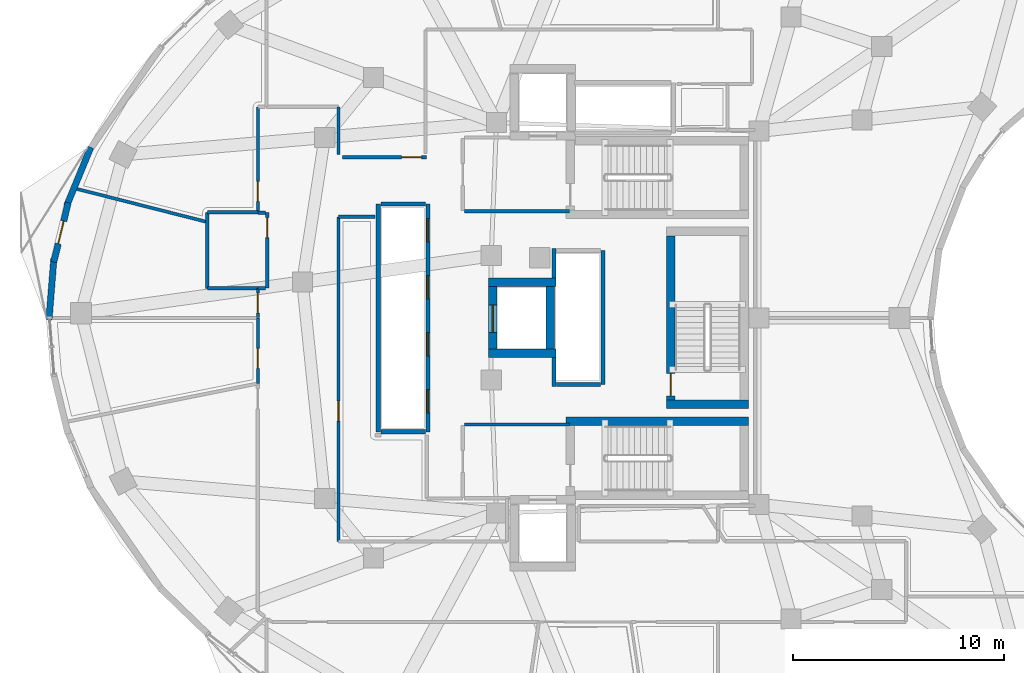
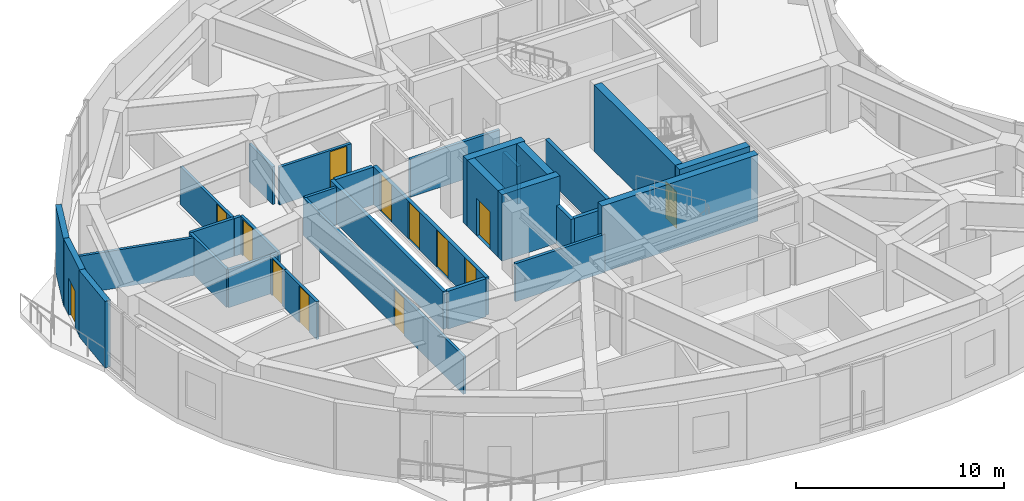
# One storey, part 9 of 14: 34 walls, 13 doors, 13 openings.
"""IFC4 building model written with IfcOpenShell, lengths in metres."""

from ifc_helpers import new_model, si_unit, direction, frame, frame_2d, origin, place, context, subcontext, project, spatial, rectangle, extrude, material, layer, layer_set, type_object, element, fill, save


model = new_model("IFC4")

# Units and contexts
model_context = context("Model", 3, precision=1e-05, world=origin(), true_north=direction((0.0, 1.0)))
body_context = subcontext(model_context, "Body", "Model", "MODEL_VIEW")
ifc_project = project(units=[si_unit("LENGTHUNIT", "METRE"), si_unit("AREAUNIT", "SQUARE_METRE"), si_unit("VOLUMEUNIT", "CUBIC_METRE"), si_unit("PLANEANGLEUNIT", "RADIAN"), si_unit("MASSUNIT", "GRAM", prefix="KILO")], contexts=[model_context])

# Site, building, storey
site_placement = place(None, origin())
site = spatial("IfcSite", under=ifc_project, at=site_placement, CompositionType="ELEMENT")
building_placement = place(site_placement, origin())
building = spatial("IfcBuilding", under=site, at=building_placement, Name="Korentha Bioscience Tower", CompositionType="ELEMENT")
storey_placement = place(building_placement, frame((0.0, 0.0, 239.39990234375)))
storey = spatial("IfcBuildingStorey", under=building, at=storey_placement, Name="L55", CompositionType="ELEMENT", Elevation=239.39990234375)

# Wall, opening, door
ifc_material_1 = material(Name="Double-Stud Acoustic Gypsum", Category="gypsum")
ifc_layer_1 = layer(ifc_material_1, 0.14990234375, Name="Double-Stud Acoustic Gypsum")
ifc_layer_set_1 = layer_set([ifc_layer_1], Name="Double-Stud Acoustic Gypsum (IW-L150)")
wall_type_1 = type_object("IfcWallType", Name="Acoustic Laboratory Partition Wall 150", PredefinedType="PARTITIONING", material=ifc_layer_set_1)
wall_1_placement = place(storey_placement, frame((13.7900390625, 26.998046875, 0.0), z_axis=(0.0, 0.0, 1.0), x_axis=(0.0, -1.0, 0.0)))
wall_1 = element("IfcWall", 1, at=wall_1_placement, inside=storey, type_object=wall_type_1, Name="L55 Staff Pantry Kitchenette 01 Entrance Wall", PredefinedType="PARTITIONING", context=body_context, shape_type="SweptSolid", body=[
    extrude(rectangle(XDim=3.104248046875, YDim=0.14990234375, at=frame_2d((1.55224609375, 0.0))), origin(), (0.0, 0.0, 1.0), 2.22021484375),
])
opening_1_placement = place(wall_1_placement, frame((1.443115234375, 0.0, 0.0)))
opening_1 = element("IfcOpeningElement", 2, at=opening_1_placement, cuts=wall_1, Name="Opening ID-10R", PredefinedType="OPENING", context=body_context, shape_type="SweptSolid", body=[
    extrude(rectangle(XDim=0.949951171875, YDim=2.14990234375, at=frame_2d((0.47509765625, 1.074951171875))), frame((0.0, 0.08984375, 0.0), z_axis=(0.0, -1.0, 0.0), x_axis=(1.0, 0.0, 0.0)), (0.0, 0.0, 1.0), 0.1796875),
])
ifc_material_2 = material(Name="Phenolic Laminate Timber Core", Category="wood")
door_type_1 = type_object("IfcDoorType", Name="Laboratory Single Leaf Door 950x2150 Right", OperationType="SINGLE_SWING_RIGHT", PredefinedType="DOOR", material=ifc_material_2)
door_1_placement = place(opening_1_placement, origin())
door_1 = element("IfcDoor", 3, at=door_1_placement, inside=storey, type_object=door_type_1, Name="L55 Staff Pantry Kitchenette 01 Door", OperationType="SINGLE_SWING_RIGHT", OverallHeight=2.14990234375, OverallWidth=0.949951171875, PredefinedType="DOOR", context=body_context, shape_type="SweptSolid", body=[
    extrude(rectangle(XDim=0.949951171875, YDim=2.14990234375, at=frame_2d((0.47509765625, 1.074951171875))), frame((0.0, 0.02490234375, 0.0), z_axis=(0.0, -1.0, 0.0), x_axis=(1.0, 0.0, 0.0)), (0.0, 0.0, 1.0), 0.050048828125),
])
fill(opening_1, door_1)

wall_2_placement = place(storey_placement, frame((17.610107421875, 16.409912109375, 0.0), z_axis=(0.0, 0.0, 1.0), x_axis=(0.0, 1.0, 0.0)))
wall_2 = element("IfcWall", 4, at=wall_2_placement, inside=storey, type_object=wall_type_1, Name="L55 Biomechanical Motion Analysis Lab 03 Entrance Wall", PredefinedType="PARTITIONING", context=body_context, shape_type="SweptSolid", body=[
    extrude(rectangle(XDim=15.380126953125, YDim=0.14990234375, at=frame_2d((7.68994140625, 0.0))), origin(), (0.0, 0.0, 1.0), 2.22021484375),
])
opening_2_placement = place(wall_2_placement, frame((5.701416015625, 0.0, 0.0)))
opening_2 = element("IfcOpeningElement", 5, at=opening_2_placement, cuts=wall_2, Name="Opening ID-10R", PredefinedType="OPENING", context=body_context, shape_type="SweptSolid", body=[
    extrude(rectangle(XDim=0.949951171875, YDim=2.14990234375, at=frame_2d((0.47509765625, 1.074951171875))), frame((0.0, 0.08984375, 0.0), z_axis=(0.0, -1.0, 0.0), x_axis=(1.0, 0.0, 0.0)), (0.0, 0.0, 1.0), 0.1796875),
])
door_2_placement = place(opening_2_placement, origin())
door_2 = element("IfcDoor", 6, at=door_2_placement, inside=storey, type_object=door_type_1, Name="L55 Biomechanical Motion Analysis Lab 03 Door", OperationType="SINGLE_SWING_RIGHT", OverallHeight=2.14990234375, OverallWidth=0.949951171875, PredefinedType="DOOR", context=body_context, shape_type="SweptSolid", body=[
    extrude(rectangle(XDim=0.949951171875, YDim=2.14990234375, at=frame_2d((0.47509765625, 1.074951171875))), frame((0.0, 0.02490234375, 0.0), z_axis=(0.0, -1.0, 0.0), x_axis=(1.0, 0.0, 0.0)), (0.0, 0.0, 1.0), 0.050048828125),
])
fill(opening_2, door_2)

wall_3_placement = place(storey_placement, frame((21.7900390625, 34.610107421875, 0.0), z_axis=(0.0, 0.0, 1.0), x_axis=(-1.0, 0.0, 0.0)))
wall_3 = element("IfcWall", 7, at=wall_3_placement, inside=storey, type_object=wall_type_1, Name="L55 Bio-Printing Tissue Engineering Lab 12 Entrance Wall", PredefinedType="PARTITIONING", context=body_context, shape_type="SweptSolid", body=[
    extrude(rectangle(XDim=3.987060546875, YDim=0.14990234375, at=frame_2d((1.99365234375, 0.0))), origin(), (0.0, 0.0, 1.0), 2.22021484375),
])
opening_3_placement = place(wall_3_placement, frame((0.239990234375, 0.0, 0.0)))
opening_3 = element("IfcOpeningElement", 8, at=opening_3_placement, cuts=wall_3, Name="Opening ID-10L", PredefinedType="OPENING", context=body_context, shape_type="SweptSolid", body=[
    extrude(rectangle(XDim=0.949951171875, YDim=2.14990234375, at=frame_2d((0.47509765625, 1.074951171875))), frame((0.0, 0.08984375, 0.0), z_axis=(0.0, -1.0, 0.0), x_axis=(1.0, 0.0, 0.0)), (0.0, 0.0, 1.0), 0.1796875),
])
door_type_2 = type_object("IfcDoorType", Name="Laboratory Single Leaf Door 950x2150 Left", OperationType="SINGLE_SWING_LEFT", PredefinedType="DOOR", material=ifc_material_2)
door_3_placement = place(opening_3_placement, origin())
door_3 = element("IfcDoor", 9, at=door_3_placement, inside=storey, type_object=door_type_2, Name="L55 Bio-Printing Tissue Engineering Lab 12 Door", OperationType="SINGLE_SWING_LEFT", OverallHeight=2.14990234375, OverallWidth=0.949951171875, PredefinedType="DOOR", context=body_context, shape_type="SweptSolid", body=[
    extrude(rectangle(XDim=0.949951171875, YDim=2.14990234375, at=frame_2d((0.47509765625, 1.074951171875))), frame((0.0, 0.02490234375, 0.0), z_axis=(0.0, -1.0, 0.0), x_axis=(1.0, 0.0, 0.0)), (0.0, 0.0, 1.0), 0.050048828125),
])
fill(opening_3, door_3)

wall_4_placement = place(storey_placement, frame((13.7900390625, 37.0, 0.0), z_axis=(0.0, 0.0, 1.0), x_axis=(0.0, -1.0, 0.0)))
wall_4 = element("IfcWall", 10, at=wall_4_placement, inside=storey, type_object=wall_type_1, Name="L55 Sterile Media Preparation Kitchen 13 Entrance Wall", PredefinedType="PARTITIONING", context=body_context, shape_type="SweptSolid", body=[
    extrude(rectangle(XDim=4.989990234375, YDim=0.14990234375, at=frame_2d((2.4951171875, 0.0))), origin(), (0.0, 0.0, 1.0), 2.22021484375),
])
opening_4_placement = place(wall_4_placement, frame((3.529296875, 0.0, 0.0)))
opening_4 = element("IfcOpeningElement", 11, at=opening_4_placement, cuts=wall_4, Name="Opening ID-10R", PredefinedType="OPENING", context=body_context, shape_type="SweptSolid", body=[
    extrude(rectangle(XDim=0.949951171875, YDim=2.14990234375, at=frame_2d((0.47509765625, 1.074951171875))), frame((0.0, 0.08984375, 0.0), z_axis=(0.0, -1.0, 0.0), x_axis=(1.0, 0.0, 0.0)), (0.0, 0.0, 1.0), 0.1796875),
])
door_4_placement = place(opening_4_placement, origin())
door_4 = element("IfcDoor", 12, at=door_4_placement, inside=storey, type_object=door_type_1, Name="L55 Sterile Media Preparation Kitchen 13 Door", OperationType="SINGLE_SWING_RIGHT", OverallHeight=2.14990234375, OverallWidth=0.949951171875, PredefinedType="DOOR", context=body_context, shape_type="SweptSolid", body=[
    extrude(rectangle(XDim=0.949951171875, YDim=2.14990234375, at=frame_2d((0.47509765625, 1.074951171875))), frame((0.0, 0.02490234375, 0.0), z_axis=(0.0, -1.0, 0.0), x_axis=(1.0, 0.0, 0.0)), (0.0, 0.0, 1.0), 0.050048828125),
])
fill(opening_4, door_4)

wall_5_placement = place(storey_placement, frame((13.7900390625, 28.389892578125, 0.0), z_axis=(0.0, 0.0, 1.0), x_axis=(0.0, -1.0, 0.0)))
wall_5 = element("IfcWall", 13, at=wall_5_placement, inside=storey, type_object=wall_type_1, Name="L55 Clinical Trials Data Office 14 Entrance Wall", PredefinedType="PARTITIONING", context=body_context, shape_type="SweptSolid", body=[
    extrude(rectangle(XDim=1.3818359375, YDim=0.14990234375, at=frame_2d((0.69091796875, 0.0))), origin(), (0.0, 0.0, 1.0), 2.22021484375),
])
opening_5_placement = place(wall_5_placement, frame((0.218017578125, 0.0, 0.0)))
opening_5 = element("IfcOpeningElement", 14, at=opening_5_placement, cuts=wall_5, Name="Opening ID-10L", PredefinedType="OPENING", context=body_context, shape_type="SweptSolid", body=[
    extrude(rectangle(XDim=0.949951171875, YDim=2.14990234375, at=frame_2d((0.47509765625, 1.074951171875))), frame((0.0, 0.08984375, 0.0), z_axis=(0.0, -1.0, 0.0), x_axis=(1.0, 0.0, 0.0)), (0.0, 0.0, 1.0), 0.1796875),
])
door_5_placement = place(opening_5_placement, origin())
door_5 = element("IfcDoor", 15, at=door_5_placement, inside=storey, type_object=door_type_2, Name="L55 Clinical Trials Data Office 14 Door", OperationType="SINGLE_SWING_LEFT", OverallHeight=2.14990234375, OverallWidth=0.949951171875, PredefinedType="DOOR", context=body_context, shape_type="SweptSolid", body=[
    extrude(rectangle(XDim=0.949951171875, YDim=2.14990234375, at=frame_2d((0.47509765625, 1.074951171875))), frame((0.0, 0.02490234375, 0.0), z_axis=(0.0, -1.0, 0.0), x_axis=(1.0, 0.0, 0.0)), (0.0, 0.0, 1.0), 0.050048828125),
])
fill(opening_5, door_5)

# Walls
wall_6_placement = place(storey_placement, frame((17.610107421875, 31.7900390625, 0.0), z_axis=(0.0, 0.0, 1.0), x_axis=(1.0, 0.0, 0.0)))
element("IfcWall", 16, at=wall_6_placement, inside=storey, type_object=wall_type_1, Name="L55 Interior Partition 033", PredefinedType="PARTITIONING", context=body_context, shape_type="SweptSolid", body=[
    extrude(rectangle(XDim=1.72998046875, YDim=0.14990234375, at=frame_2d((0.864990234375, 0.0))), origin(), (0.0, 0.0, 1.0), 2.22021484375),
])
wall_7_placement = place(storey_placement, frame((17.610107421875, 34.73779296875, 0.0), z_axis=(0.0, 0.0, 1.0), x_axis=(0.0, 1.0, 0.0)))
element("IfcWall", 17, at=wall_7_placement, inside=storey, type_object=wall_type_1, Name="L55 Interior Partition 061", PredefinedType="PARTITIONING", context=body_context, shape_type="SweptSolid", body=[
    extrude(rectangle(XDim=2.26220703125, YDim=0.14990234375, at=frame_2d((1.131103515625, 0.0))), origin(), (0.0, 0.0, 1.0), 2.22021484375),
])
wall_8_placement = place(storey_placement, frame((11.389892578125, 31.544189453125, 0.0), z_axis=(0.0, 0.0, 1.0), x_axis=(-0.969246374059, 0.246092393976, 0.0)))
element("IfcWall", 18, at=wall_8_placement, inside=storey, type_object=wall_type_1, Name="L55 Interior Partition 066", PredefinedType="PARTITIONING", context=body_context, shape_type="SweptSolid", body=[
    extrude(rectangle(XDim=6.635009765625, YDim=0.14990234375, at=frame_2d((3.3173828125, 0.0))), origin(), (0.0, 0.0, 1.0), 2.22021484375),
])
ifc_material_3 = material(Name="Gypsum-Clad Steel Stud", Category="steel")
ifc_layer_2 = layer(ifc_material_3, 0.159912109375, Name="Gypsum-Clad Steel Stud")
ifc_layer_set_2 = layer_set([ifc_layer_2], Name="Gypsum-Clad Steel Stud (IW-C160)")
wall_type_2 = type_object("IfcWallType", Name="Fire-Rated Corridor Partition Wall 160", PredefinedType="PARTITIONING", material=ifc_layer_set_2)
for number, where, z_axis, x_axis, name in (
    (19, (23.580078125, 32.050048828125, 0.0), (0.0, 0.0, 1.0), (1.0, 0.0, 0.0), "L55 Firefighting Lobby Return Wall FFLN-S"),
    (20, (23.580078125, 21.949951171875, 0.0), (0.0, 0.0, 1.0), (1.0, 0.0, 0.0), "L55 Firefighting Lobby Return Wall FFLS-N"),
):
    element("IfcWall", number, at=place(storey_placement, frame(where, z_axis=z_axis, x_axis=x_axis)), inside=storey, type_object=wall_type_2, Name=name, PredefinedType="PARTITIONING", context=body_context, shape_type="SweptSolid", body=[
        extrude(rectangle(XDim=4.969970703125, YDim=0.159912109375, at=frame_2d((2.48486328125, 0.0))), origin(), (0.0, 0.0, 1.0), 2.22021484375),
    ])

# Wall, opening, door
wall_9_placement = place(storey_placement, frame((14.239990234375, 31.989990234375, 0.0), z_axis=(0.0, 0.0, 1.0), x_axis=(0.0, -1.0, 0.0)))
wall_9 = element("IfcWall", 21, at=wall_9_placement, inside=storey, type_object=wall_type_2, Name="L55 Reclaimed Bank-1 North Data Closet Entrance Wall", PredefinedType="PARTITIONING", context=body_context, shape_type="SweptSolid", body=[
    extrude(rectangle(XDim=3.580078125, YDim=0.159912109375, at=frame_2d((1.7900390625, 0.0))), origin(), (0.0, 0.0, 1.0), 2.22021484375),
])
opening_6_placement = place(wall_9_placement, frame((0.239990234375, 0.0, 0.0)))
opening_6 = element("IfcOpeningElement", 22, at=opening_6_placement, cuts=wall_9, Name="Opening ID-10L", PredefinedType="OPENING", context=body_context, shape_type="SweptSolid", body=[
    extrude(rectangle(XDim=0.949951171875, YDim=2.14990234375, at=frame_2d((0.47509765625, 1.074951171875))), frame((0.0, 0.0947265625, 0.0), z_axis=(0.0, -1.0, 0.0), x_axis=(1.0, 0.0, 0.0)), (0.0, 0.0, 1.0), 0.189697265625),
])
door_6_placement = place(opening_6_placement, origin())
door_6 = element("IfcDoor", 23, at=door_6_placement, inside=storey, type_object=door_type_2, Name="L55 Reclaimed Bank-1 North Data Closet Door", OperationType="SINGLE_SWING_LEFT", OverallHeight=2.14990234375, OverallWidth=0.949951171875, PredefinedType="DOOR", context=body_context, shape_type="SweptSolid", body=[
    extrude(rectangle(XDim=0.949951171875, YDim=2.14990234375, at=frame_2d((0.47509765625, 1.074951171875))), frame((0.0, 0.02490234375, 0.0), z_axis=(0.0, -1.0, 0.0), x_axis=(1.0, 0.0, 0.0)), (0.0, 0.0, 1.0), 0.050048828125),
])
fill(opening_6, door_6)

# Walls
for number, where, z_axis, x_axis, name in (
    (24, (13.800048828125, 31.989990234375, 0.0), (0.0, 0.0, 1.0), (1.0, 0.0, 0.0), "L55 Interior Partition 019"),
    (25, (14.156982421875, 28.409912109375, 0.0), (0.0, 0.0, 1.0), (-1.0, 0.0, 0.0), "L55 Interior Partition 020"),
):
    element("IfcWall", number, at=place(storey_placement, frame(where, z_axis=z_axis, x_axis=x_axis)), inside=storey, type_object=wall_type_2, Name=name, PredefinedType="PARTITIONING", context=body_context, shape_type="SweptSolid", body=[
        extrude(rectangle(XDim=0.35693359375, YDim=0.159912109375, at=frame_2d((0.178466796875, 0.0))), origin(), (0.0, 0.0, 1.0), 2.22021484375),
    ])
wall_10_placement = place(storey_placement, frame((13.7900390625, 28.39990234375, 0.0), z_axis=(0.0, 0.0, 1.0), x_axis=(-1.0, 0.0, 0.0)))
element("IfcWall", 26, at=wall_10_placement, inside=storey, type_object=wall_type_2, Name="L55 Interior Partition 021", PredefinedType="PARTITIONING", context=body_context, shape_type="SweptSolid", body=[
    extrude(rectangle(XDim=2.39013671875, YDim=0.159912109375, at=frame_2d((1.195068359375, 0.0))), origin(), (0.0, 0.0, 1.0), 2.22021484375),
])
wall_11_placement = place(storey_placement, frame((11.39990234375, 28.39990234375, 0.0), z_axis=(0.0, 0.0, 1.0), x_axis=(0.0, 1.0, 0.0)))
element("IfcWall", 27, at=wall_11_placement, inside=storey, type_object=wall_type_2, Name="L55 Interior Partition 022", PredefinedType="PARTITIONING", context=body_context, shape_type="SweptSolid", body=[
    extrude(rectangle(XDim=3.60009765625, YDim=0.159912109375, at=frame_2d((1.800048828125, 0.0))), origin(), (0.0, 0.0, 1.0), 2.22021484375),
])
wall_12_placement = place(storey_placement, frame((11.39990234375, 32.0, 0.0), z_axis=(0.0, 0.0, 1.0), x_axis=(1.0, 0.0, 0.0)))
element("IfcWall", 28, at=wall_12_placement, inside=storey, type_object=wall_type_2, Name="L55 Interior Partition 023", PredefinedType="PARTITIONING", context=body_context, shape_type="SweptSolid", body=[
    extrude(rectangle(XDim=2.39013671875, YDim=0.159912109375, at=frame_2d((1.195068359375, 0.0))), origin(), (0.0, 0.0, 1.0), 2.22021484375),
])

# Wall, opening, door
ifc_material_4 = material(Name="Honed Limestone Precast Concrete C40", Category="masonry")
ifc_layer_3 = layer(ifc_material_4, 0.300048828125, Name="Honed Limestone Precast Concrete C40")
ifc_layer_set_3 = layer_set([ifc_layer_3], Name="Honed Limestone Precast Concrete C40 (EW-ST300)")
wall_type_3 = type_object("IfcWallType", Name="Honed Limestone Cavity Spandrel Wall 300", PredefinedType="STANDARD", material=ifc_layer_set_3)
wall_13_placement = place(storey_placement, frame((4.80029296875, 32.461181640625, 0.0), z_axis=(0.0, 0.0, 1.0), x_axis=(-0.23549395731, -0.971875813091, 0.0)))
wall_13 = element("IfcWall", 29, at=wall_13_placement, inside=storey, type_object=wall_type_3, Name="L55 Balcony Threshold Wall 02", PredefinedType="STANDARD", context=body_context, shape_type="SweptSolid", body=[
    extrude(rectangle(XDim=2.898681640625, YDim=0.300048828125, at=frame_2d((1.44921875, 0.0))), origin(), (0.0, 0.0, 1.0), 3.900146484375),
])
opening_7_placement = place(wall_13_placement, frame((0.8994140625, 0.0, 0.0)))
opening_7 = element("IfcOpeningElement", 30, at=opening_7_placement, cuts=wall_13, Name="Opening BD-11R", PredefinedType="OPENING", context=body_context, shape_type="SweptSolid", body=[
    extrude(rectangle(XDim=1.10009765625, YDim=2.14990234375, at=frame_2d((0.550048828125, 1.074951171875))), frame((0.0, 0.1650390625, 0.0), z_axis=(0.0, -1.0, 0.0), x_axis=(1.0, 0.0, 0.0)), (0.0, 0.0, 1.0), 0.329833984375),
])
ifc_material_5 = material(Name="Thermally Broken Glazed Aluminium", Category="aluminium")
door_type_3 = type_object("IfcDoorType", Name="Balcony Terrace Glazed Door 1100x2150 Right", OperationType="SINGLE_SWING_RIGHT", PredefinedType="DOOR", material=ifc_material_5)
door_7_placement = place(opening_7_placement, origin())
door_7 = element("IfcDoor", 31, at=door_7_placement, inside=storey, type_object=door_type_3, Name="L55 Balcony Access Door 02", OperationType="SINGLE_SWING_RIGHT", OverallHeight=2.14990234375, OverallWidth=1.10009765625, PredefinedType="DOOR", context=body_context, shape_type="SweptSolid", body=[
    extrude(rectangle(XDim=1.10009765625, YDim=2.14990234375, at=frame_2d((0.550048828125, 1.074951171875))), frame((0.0, 0.02490234375, 0.0), z_axis=(0.0, -1.0, 0.0), x_axis=(1.0, 0.0, 0.0)), (0.0, 0.0, 1.0), 0.050048828125),
])
fill(opening_7, door_7)

# Walls
wall_14_placement = place(storey_placement, frame((5.87109375, 35.083251953125, 0.0), z_axis=(0.0, 0.0, 1.0), x_axis=(-0.380967021775, -0.924588626536, 0.0)))
element("IfcWall", 32, at=wall_14_placement, inside=storey, type_object=wall_type_3, Name="L55 Limestone Perimeter Closure Wall 16", PredefinedType="STANDARD", context=body_context, shape_type="SweptSolid", body=[
    extrude(rectangle(XDim=2.995849609375, YDim=0.300048828125, at=frame_2d((1.498046875, 0.0))), origin(), (0.0, 0.0, 1.0), 3.900146484375),
])
wall_15_placement = place(storey_placement, frame((4.1220703125, 29.80859375, 0.0), z_axis=(0.0, 0.0, 1.0), x_axis=(-0.079738550157, -0.996815812284, 0.0)))
element("IfcWall", 33, at=wall_15_placement, inside=storey, type_object=wall_type_3, Name="L55 Limestone Perimeter Closure Wall 18", PredefinedType="STANDARD", context=body_context, shape_type="SweptSolid", body=[
    extrude(rectangle(XDim=2.90869140625, YDim=0.300048828125, at=frame_2d((1.454345703125, 0.0))), origin(), (0.0, 0.0, 1.0), 3.900146484375),
])
ifc_material_6 = material(Name="Autoclaved Aerated Concrete Block C25", Category="concrete")
ifc_layer_4 = layer(ifc_material_6, 0.199951171875, Name="Autoclaved Aerated Concrete Block C25")
ifc_layer_set_4 = layer_set([ifc_layer_4], Name="Autoclaved Aerated Concrete Block C25 (IW-S200)")
wall_type_4 = type_object("IfcWallType", Name="Lift and Riser Shaft Enclosure Wall 200", PredefinedType="PARTITIONING", material=ifc_layer_set_4)
wall_16_placement = place(storey_placement, frame((19.5, 21.60009765625, 0.0), z_axis=(0.0, 0.0, 1.0), x_axis=(0.0, 1.0, 0.0)))
element("IfcWall", 34, at=wall_16_placement, inside=storey, type_object=wall_type_4, Name="L55 Lift Bank MID Shaft Wall -X", PredefinedType="PARTITIONING", context=body_context, shape_type="SweptSolid", body=[
    extrude(rectangle(XDim=10.7998046875, YDim=0.199951171875, at=frame_2d((5.39990234375, 0.0))), origin(), (0.0, 0.0, 1.0), 2.22021484375),
])

# Wall, openings, doors
wall_17_placement = place(storey_placement, frame((21.85009765625, 21.60009765625, 0.0), z_axis=(0.0, 0.0, 1.0), x_axis=(0.0, 1.0, 0.0)))
wall_17 = element("IfcWall", 35, at=wall_17_placement, inside=storey, type_object=wall_type_4, Name="L55 Lift Bank MID Shaft Wall +X", PredefinedType="PARTITIONING", context=body_context, shape_type="SweptSolid", body=[
    extrude(rectangle(XDim=10.7998046875, YDim=0.199951171875, at=frame_2d((5.39990234375, 0.0))), origin(), (0.0, 0.0, 1.0), 2.22021484375),
])
opening_8_placement = place(wall_17_placement, frame((0.89990234375, 0.0, 0.0)))
opening_8 = element("IfcOpeningElement", 36, at=opening_8_placement, cuts=wall_17, Name="Opening LD-11", PredefinedType="OPENING", context=body_context, shape_type="SweptSolid", body=[
    extrude(rectangle(XDim=1.10009765625, YDim=2.199951171875, at=frame_2d((0.550048828125, 1.10009765625))), frame((0.0, 0.11474609375, 0.0), z_axis=(0.0, -1.0, 0.0), x_axis=(1.0, 0.0, 0.0)), (0.0, 0.0, 1.0), 0.229736328125),
])
opening_9_placement = place(wall_17_placement, frame((3.60009765625, 0.0, 0.0)))
opening_9 = element("IfcOpeningElement", 37, at=opening_9_placement, cuts=wall_17, Name="Opening LD-11", PredefinedType="OPENING", context=body_context, shape_type="SweptSolid", body=[
    extrude(rectangle(XDim=1.10009765625, YDim=2.199951171875, at=frame_2d((0.550048828125, 1.10009765625))), frame((0.0, 0.11474609375, 0.0), z_axis=(0.0, -1.0, 0.0), x_axis=(1.0, 0.0, 0.0)), (0.0, 0.0, 1.0), 0.229736328125),
])
opening_10_placement = place(wall_17_placement, frame((6.300048828125, 0.0, 0.0)))
opening_10 = element("IfcOpeningElement", 38, at=opening_10_placement, cuts=wall_17, Name="Opening LD-11", PredefinedType="OPENING", context=body_context, shape_type="SweptSolid", body=[
    extrude(rectangle(XDim=1.10009765625, YDim=2.199951171875, at=frame_2d((0.550048828125, 1.10009765625))), frame((0.0, 0.11474609375, 0.0), z_axis=(0.0, -1.0, 0.0), x_axis=(1.0, 0.0, 0.0)), (0.0, 0.0, 1.0), 0.229736328125),
])
opening_11_placement = place(wall_17_placement, frame((9.0, 0.0, 0.0)))
opening_11 = element("IfcOpeningElement", 39, at=opening_11_placement, cuts=wall_17, Name="Opening LD-11", PredefinedType="OPENING", context=body_context, shape_type="SweptSolid", body=[
    extrude(rectangle(XDim=1.10009765625, YDim=2.199951171875, at=frame_2d((0.550048828125, 1.10009765625))), frame((0.0, 0.11474609375, 0.0), z_axis=(0.0, -1.0, 0.0), x_axis=(1.0, 0.0, 0.0)), (0.0, 0.0, 1.0), 0.229736328125),
])
ifc_material_7 = material(Name="Brushed Stainless Steel 304", Category="steel")
door_type_4 = type_object("IfcDoorType", Name="Passenger Lift Sliding Landing Door 1100x2200", OperationType="DOUBLE_DOOR_SLIDING", PredefinedType="DOOR", material=ifc_material_7)
door_8_placement = place(opening_8_placement, origin())
door_8 = element("IfcDoor", 40, at=door_8_placement, inside=storey, type_object=door_type_4, Name="L55 PL-M1 Sliding Lift Landing Door", OperationType="DOUBLE_DOOR_SLIDING", OverallHeight=2.199951171875, OverallWidth=1.10009765625, PredefinedType="DOOR", context=body_context, shape_type="SweptSolid", body=[
    extrude(rectangle(XDim=1.10009765625, YDim=2.199951171875, at=frame_2d((0.550048828125, 1.10009765625))), frame((0.0, 0.02490234375, 0.0), z_axis=(0.0, -1.0, 0.0), x_axis=(1.0, 0.0, 0.0)), (0.0, 0.0, 1.0), 0.050048828125),
])
fill(opening_8, door_8)
door_9_placement = place(opening_9_placement, origin())
door_9 = element("IfcDoor", 41, at=door_9_placement, inside=storey, type_object=door_type_4, Name="L55 PL-M2 Sliding Lift Landing Door", OperationType="DOUBLE_DOOR_SLIDING", OverallHeight=2.199951171875, OverallWidth=1.10009765625, PredefinedType="DOOR", context=body_context, shape_type="SweptSolid", body=[
    extrude(rectangle(XDim=1.10009765625, YDim=2.199951171875, at=frame_2d((0.550048828125, 1.10009765625))), frame((0.0, 0.02490234375, 0.0), z_axis=(0.0, -1.0, 0.0), x_axis=(1.0, 0.0, 0.0)), (0.0, 0.0, 1.0), 0.050048828125),
])
fill(opening_9, door_9)
door_10_placement = place(opening_10_placement, origin())
door_10 = element("IfcDoor", 42, at=door_10_placement, inside=storey, type_object=door_type_4, Name="L55 PL-M3 Sliding Lift Landing Door", OperationType="DOUBLE_DOOR_SLIDING", OverallHeight=2.199951171875, OverallWidth=1.10009765625, PredefinedType="DOOR", context=body_context, shape_type="SweptSolid", body=[
    extrude(rectangle(XDim=1.10009765625, YDim=2.199951171875, at=frame_2d((0.550048828125, 1.10009765625))), frame((0.0, 0.02490234375, 0.0), z_axis=(0.0, -1.0, 0.0), x_axis=(1.0, 0.0, 0.0)), (0.0, 0.0, 1.0), 0.050048828125),
])
fill(opening_10, door_10)
door_11_placement = place(opening_11_placement, origin())
door_11 = element("IfcDoor", 43, at=door_11_placement, inside=storey, type_object=door_type_4, Name="L55 PL-M4 Sliding Lift Landing Door", OperationType="DOUBLE_DOOR_SLIDING", OverallHeight=2.199951171875, OverallWidth=1.10009765625, PredefinedType="DOOR", context=body_context, shape_type="SweptSolid", body=[
    extrude(rectangle(XDim=1.10009765625, YDim=2.199951171875, at=frame_2d((0.550048828125, 1.10009765625))), frame((0.0, 0.02490234375, 0.0), z_axis=(0.0, -1.0, 0.0), x_axis=(1.0, 0.0, 0.0)), (0.0, 0.0, 1.0), 0.050048828125),
])
fill(opening_11, door_11)

# Walls
for number, where, z_axis, x_axis, name in (
    (44, (19.6201171875, 21.60009765625, 0.0), (0.0, 0.0, 1.0), (1.0, 0.0, 0.0), "L55 Lift Bank MID Shaft Wall -Y"),
    (45, (19.6201171875, 32.39990234375, 0.0), (0.0, 0.0, 1.0), (1.0, 0.0, 0.0), "L55 Lift Bank MID Shaft Wall +Y"),
):
    element("IfcWall", number, at=place(storey_placement, frame(where, z_axis=z_axis, x_axis=x_axis)), inside=storey, type_object=wall_type_4, Name=name, PredefinedType="PARTITIONING", context=body_context, shape_type="SweptSolid", body=[
        extrude(rectangle(XDim=2.10986328125, YDim=0.199951171875, at=frame_2d((1.054931640625, 0.0))), origin(), (0.0, 0.0, 1.0), 2.22021484375),
    ])
wall_18_placement = place(storey_placement, frame((27.830078125, 23.75, 0.0), z_axis=(0.0, 0.0, 1.0), x_axis=(0.0, 1.0, 0.0)))
element("IfcWall", 46, at=wall_18_placement, inside=storey, type_object=wall_type_4, Name="L55 Lift Bank HIGH Shaft Wall -XS", PredefinedType="PARTITIONING", context=body_context, shape_type="SweptSolid", body=[
    extrude(rectangle(XDim=1.365966796875, YDim=0.199951171875, at=frame_2d((0.68310546875, 0.0))), origin(), (0.0, 0.0, 1.0), 2.22021484375),
])
wall_19_placement = place(storey_placement, frame((27.830078125, 28.884033203125, 0.0), z_axis=(0.0, 0.0, 1.0), x_axis=(0.0, 1.0, 0.0)))
element("IfcWall", 47, at=wall_19_placement, inside=storey, type_object=wall_type_4, Name="L55 Lift Bank HIGH Shaft Wall -XN", PredefinedType="PARTITIONING", context=body_context, shape_type="SweptSolid", body=[
    extrude(rectangle(XDim=1.416015625, YDim=0.199951171875, at=frame_2d((0.7080078125, 0.0))), origin(), (0.0, 0.0, 1.0), 2.22021484375),
])
wall_20_placement = place(storey_placement, frame((30.14990234375, 23.85009765625, 0.0), z_axis=(0.0, 0.0, 1.0), x_axis=(0.0, 1.0, 0.0)))
element("IfcWall", 48, at=wall_20_placement, inside=storey, type_object=wall_type_4, Name="L55 Lift Bank HIGH Shaft Wall +X", PredefinedType="PARTITIONING", context=body_context, shape_type="SweptSolid", body=[
    extrude(rectangle(XDim=6.349853515625, YDim=0.199951171875, at=frame_2d((3.1748046875, 0.0))), origin(), (0.0, 0.0, 1.0), 2.22021484375),
])
wall_21_placement = place(storey_placement, frame((27.93408203125, 23.85009765625, 0.0), z_axis=(0.0, 0.0, 1.0), x_axis=(1.0, 0.0, 0.0)))
element("IfcWall", 49, at=wall_21_placement, inside=storey, type_object=wall_type_4, Name="L55 Lift Bank HIGH Shaft Wall -Y", PredefinedType="PARTITIONING", context=body_context, shape_type="SweptSolid", body=[
    extrude(rectangle(XDim=2.095947265625, YDim=0.199951171875, at=frame_2d((1.0478515625, 0.0))), origin(), (0.0, 0.0, 1.0), 2.22021484375),
])
ifc_material_8 = material(Name="Concrete C65", Category="concrete")
ifc_layer_5 = layer(ifc_material_8, 0.39990234375, Name="Concrete C65")
ifc_layer_set_5 = layer_set([ifc_layer_5], Name="Concrete C65 (CW-C65)")
wall_type_5 = type_object("IfcWallType", Name="Mid-Rise Core Shear Wall 400", PredefinedType="SHEAR", material=ifc_layer_set_5)
wall_22_placement = place(storey_placement, frame((28.39990234375, 22.10009765625, 0.0), z_axis=(0.0, 0.0, 1.0), x_axis=(1.0, 0.0, 0.0)))
element("IfcWall", 50, at=wall_22_placement, inside=storey, type_object=wall_type_5, Name="L55 Core Shear Wall ST2-N", PredefinedType="SHEAR", context=body_context, shape_type="SweptSolid", body=[
    extrude(rectangle(XDim=8.650146484375, YDim=0.39990234375, at=frame_2d((4.3251953125, 0.0))), origin(), (0.0, 0.0, 1.0), 3.900146484375),
])
wall_23_placement = place(storey_placement, frame((33.14990234375, 22.89990234375, 0.0), z_axis=(0.0, 0.0, 1.0), x_axis=(1.0, 0.0, 0.0)))
element("IfcWall", 51, at=wall_23_placement, inside=storey, type_object=wall_type_5, Name="L55 Core Shear Wall ST3-S", PredefinedType="SHEAR", context=body_context, shape_type="SweptSolid", body=[
    extrude(rectangle(XDim=3.900146484375, YDim=0.39990234375, at=frame_2d((1.9501953125, 0.0))), origin(), (0.0, 0.0, 1.0), 3.900146484375),
])

# Wall, opening, door
wall_24_placement = place(storey_placement, frame((33.35009765625, 23.110107421875, 0.0), z_axis=(0.0, 0.0, 1.0), x_axis=(0.0, 1.0, 0.0)))
wall_24 = element("IfcWall", 52, at=wall_24_placement, inside=storey, type_object=wall_type_5, Name="L55 Core Shear Wall ST3-W", PredefinedType="SHEAR", context=body_context, shape_type="SweptSolid", body=[
    extrude(rectangle(XDim=7.77978515625, YDim=0.39990234375, at=frame_2d((3.889892578125, 0.0))), origin(), (0.0, 0.0, 1.0), 3.900146484375),
])
opening_12_placement = place(wall_24_placement, frame((0.199951171875, 0.0, 0.0)))
opening_12 = element("IfcOpeningElement", 53, at=opening_12_placement, cuts=wall_24, Name="Opening FD-90R", PredefinedType="OPENING", context=body_context, shape_type="SweptSolid", body=[
    extrude(rectangle(XDim=1.050048828125, YDim=2.14990234375, at=frame_2d((0.52490234375, 1.074951171875))), frame((0.0, 0.21484375, 0.0), z_axis=(0.0, -1.0, 0.0), x_axis=(1.0, 0.0, 0.0)), (0.0, 0.0, 1.0), 0.4296875),
])
ifc_material_9 = material(Name="Powder-Coated Fire-Rated Steel", Category="steel")
door_type_5 = type_object("IfcDoorType", Name="Stairwell Fire Exit Door 1050x2150 Right", OperationType="SINGLE_SWING_RIGHT", PredefinedType="DOOR", material=ifc_material_9)
door_12_placement = place(opening_12_placement, origin())
door_12 = element("IfcDoor", 54, at=door_12_placement, inside=storey, type_object=door_type_5, Name="L55 ST-3 Fire Exit Stair Door", OperationType="SINGLE_SWING_RIGHT", OverallHeight=2.14990234375, OverallWidth=1.050048828125, PredefinedType="DOOR", context=body_context, shape_type="SweptSolid", body=[
    extrude(rectangle(XDim=1.050048828125, YDim=2.14990234375, at=frame_2d((0.52490234375, 1.074951171875))), frame((0.0, 0.02490234375, 0.0), z_axis=(0.0, -1.0, 0.0), x_axis=(1.0, 0.0, 0.0)), (0.0, 0.0, 1.0), 0.050048828125),
])
fill(opening_12, door_12)

# Walls
for number, where, z_axis, x_axis, name in (
    (55, (24.719970703125, 28.679931640625, 0.0), (0.0, 0.0, 1.0), (1.0, 0.0, 0.0), "L55 Core Shear Wall SVL1-N"),
    (56, (24.719970703125, 25.320068359375, 0.0), (0.0, 0.0, 1.0), (1.0, 0.0, 0.0), "L55 Core Shear Wall SVL1-S"),
):
    element("IfcWall", number, at=place(storey_placement, frame(where, z_axis=z_axis, x_axis=x_axis)), inside=storey, type_object=wall_type_5, Name=name, PredefinedType="SHEAR", context=body_context, shape_type="SweptSolid", body=[
        extrude(rectangle(XDim=3.2099609375, YDim=0.39990234375, at=frame_2d((1.60498046875, 0.0))), origin(), (0.0, 0.0, 1.0), 3.900146484375),
    ])

# Wall, opening, door
wall_25_placement = place(storey_placement, frame((24.919921875, 25.52197265625, 0.0), z_axis=(0.0, 0.0, 1.0), x_axis=(0.0, 1.0, 0.0)))
wall_25 = element("IfcWall", 57, at=wall_25_placement, inside=storey, type_object=wall_type_5, Name="L55 Core Shear Wall SVL1-W", PredefinedType="SHEAR", context=body_context, shape_type="SweptSolid", body=[
    extrude(rectangle(XDim=2.9560546875, YDim=0.39990234375, at=frame_2d((1.47802734375, 0.0))), origin(), (0.0, 0.0, 1.0), 3.900146484375),
])
opening_13_placement = place(wall_25_placement, frame((0.7900390625, 0.0, 0.0)))
opening_13 = element("IfcOpeningElement", 58, at=opening_13_placement, cuts=wall_25, Name="Opening LD-13", PredefinedType="OPENING", context=body_context, shape_type="SweptSolid", body=[
    extrude(rectangle(XDim=1.300048828125, YDim=2.199951171875, at=frame_2d((0.64990234375, 1.10009765625))), frame((0.0, 0.21484375, 0.0), z_axis=(0.0, -1.0, 0.0), x_axis=(1.0, 0.0, 0.0)), (0.0, 0.0, 1.0), 0.4296875),
])
ifc_material_10 = material(Name="Brushed Stainless Steel 316", Category="steel")
door_type_6 = type_object("IfcDoorType", Name="Service & Firefighting Lift Landing Door 1300x2300", OperationType="DOUBLE_DOOR_SLIDING", PredefinedType="DOOR", material=ifc_material_10)
door_13_placement = place(opening_13_placement, origin())
door_13 = element("IfcDoor", 59, at=door_13_placement, inside=storey, type_object=door_type_6, Name="L55 SVL-1 Sliding Lift Landing Door", OperationType="DOUBLE_DOOR_SLIDING", OverallHeight=2.199951171875, OverallWidth=1.300048828125, PredefinedType="DOOR", context=body_context, shape_type="SweptSolid", body=[
    extrude(rectangle(XDim=1.300048828125, YDim=2.199951171875, at=frame_2d((0.64990234375, 1.10009765625))), frame((0.0, 0.02490234375, 0.0), z_axis=(0.0, -1.0, 0.0), x_axis=(1.0, 0.0, 0.0)), (0.0, 0.0, 1.0), 0.050048828125),
])
fill(opening_13, door_13)

# Wall
wall_26_placement = place(storey_placement, frame((27.64990234375, 25.52197265625, 0.0), z_axis=(0.0, 0.0, 1.0), x_axis=(0.0, 1.0, 0.0)))
element("IfcWall", 60, at=wall_26_placement, inside=storey, type_object=wall_type_5, Name="L55 Core Shear Wall SVL1-E", PredefinedType="SHEAR", context=body_context, shape_type="SweptSolid", body=[
    extrude(rectangle(XDim=2.9560546875, YDim=0.39990234375, at=frame_2d((1.47802734375, 0.0))), origin(), (0.0, 0.0, 1.0), 3.900146484375),
])

save(model, "model.ifc")
